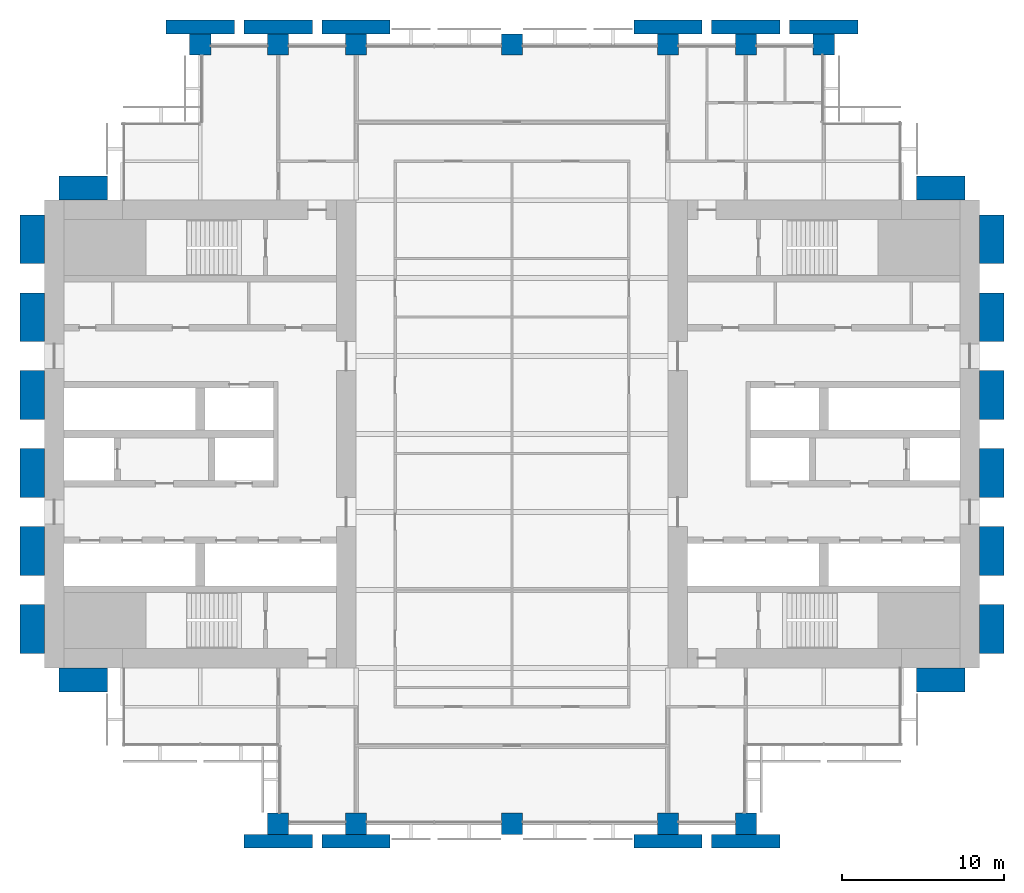
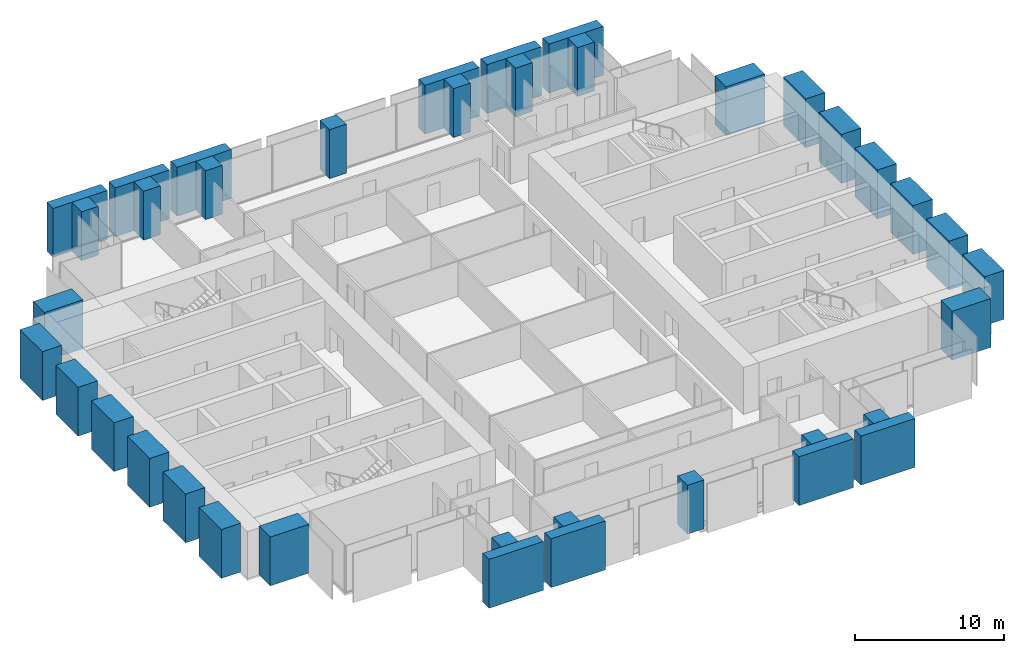
# One storey, part 1 of 14: 38 columns.
"""IFC4 building model written with IfcOpenShell, lengths in metres."""

from ifc_helpers import new_model, si_unit, direction, frame, origin, origin_2d, place, context, subcontext, project, spatial, rectangle, extrude, material, material_profile, profile_set, type_object, element, save


model = new_model("IFC4")

# Units and contexts
model_context = context("Model", 3, precision=1e-05, world=origin(), true_north=direction((0.0, 1.0)))
body_context = subcontext(model_context, "Body", "Model", "MODEL_VIEW")
ifc_project = project(units=[si_unit("LENGTHUNIT", "METRE"), si_unit("AREAUNIT", "SQUARE_METRE"), si_unit("VOLUMEUNIT", "CUBIC_METRE"), si_unit("PLANEANGLEUNIT", "RADIAN"), si_unit("MASSUNIT", "GRAM", prefix="KILO")], contexts=[model_context])

# Site, building, storey
site_placement = place(None, origin())
site = spatial("IfcSite", under=ifc_project, at=site_placement, CompositionType="ELEMENT")
building_placement = place(site_placement, origin())
building = spatial("IfcBuilding", under=site, at=building_placement, Name="Baori Bourse Tower", CompositionType="ELEMENT")
storey_placement = place(building_placement, frame((0.0, 0.0, 79.0)))
storey = spatial("IfcBuildingStorey", under=building, at=storey_placement, Name="L17", CompositionType="ELEMENT", Elevation=79.0)

# Columns
ifc_material_1 = material(Name="Concrete f'c 60 MPa", Category="concrete")
ifc_material_profile_1 = material_profile(ifc_material_1, rectangle(XDim=4.199951171875, YDim=0.85009765625, at=origin_2d()), Name="RC 4200x850")
ifc_profile_set_1 = profile_set([ifc_material_profile_1], Name="Concrete f'c 60 MPa")
column_type_1 = type_object("IfcColumnType", Name="FN3 Brick pilaster 4200x850", PredefinedType="PILASTER", material=ifc_profile_set_1)
for number, where, z_axis, x_axis, name in (
    (1, (14.39990234375, -1.074951171875, 0.0), (0.0, 0.0, 1.0), (1.0, 0.0, 0.0), "Brick pilaster L17 17"),
    (2, (19.199951171875, -1.074951171875, 0.0), (0.0, 0.0, 1.0), (1.0, 0.0, 0.0), "Brick pilaster L17 18"),
    (3, (38.39990234375, -1.074951171875, 0.0), (0.0, 0.0, 1.0), (1.0, 0.0, 0.0), "Brick pilaster L17 19"),
    (4, (43.199951171875, -1.074951171875, 0.0), (0.0, 0.0, 1.0), (1.0, 0.0, 0.0), "Brick pilaster L17 20"),
    (5, (9.60009765625, 49.074951171875, 0.0), (0.0, 0.0, 1.0), (1.0, 0.0, 0.0), "Brick pilaster L17 21"),
    (6, (14.39990234375, 49.074951171875, 0.0), (0.0, 0.0, 1.0), (1.0, 0.0, 0.0), "Brick pilaster L17 22"),
    (7, (19.199951171875, 49.074951171875, 0.0), (0.0, 0.0, 1.0), (1.0, 0.0, 0.0), "Brick pilaster L17 23"),
    (8, (38.39990234375, 49.074951171875, 0.0), (0.0, 0.0, 1.0), (1.0, 0.0, 0.0), "Brick pilaster L17 24"),
    (9, (43.199951171875, 49.074951171875, 0.0), (0.0, 0.0, 1.0), (1.0, 0.0, 0.0), "Brick pilaster L17 25"),
    (10, (48.0, 49.074951171875, 0.0), (0.0, 0.0, 1.0), (1.0, 0.0, 0.0), "Brick pilaster L17 26"),
):
    element("IfcColumn", number, at=place(storey_placement, frame(where, z_axis=z_axis, x_axis=x_axis)), inside=storey, type_object=column_type_1, Name=name, PredefinedType="PILASTER", context=body_context, shape_type="SweptSolid", body=[
        extrude(rectangle(XDim=4.199951171875, YDim=0.85009765625, at=origin_2d()), origin(), (0.0, 0.0, 1.0), 4.0),
    ])
ifc_material_2 = material(Name="Concrete f'c 60 MPa", Category="concrete")
ifc_material_profile_2 = material_profile(ifc_material_2, rectangle(XDim=3.0, YDim=1.5, at=origin_2d()), Name="RC 3000x1500")
ifc_profile_set_2 = profile_set([ifc_material_profile_2], Name="Concrete f'c 60 MPa")
column_type_2 = type_object("IfcColumnType", Name="FN4 Brick flank pilaster 3000x1500", PredefinedType="PILASTER", material=ifc_profile_set_2)
for number, where, z_axis, x_axis, name in (
    (11, (55.199951171875, 8.85009765625, 0.0), (0.0, 0.0, 1.0), (1.0, 0.0, 0.0), "Brick pilaster L17 1"),
    (12, (58.35009765625, 12.0, 0.0), (0.0, 0.0, 1.0), (0.0, 1.0, 0.0), "Brick pilaster L17 2"),
    (13, (58.35009765625, 16.800048828125, 0.0), (0.0, 0.0, 1.0), (0.0, 1.0, 0.0), "Brick pilaster L17 3"),
    (14, (58.35009765625, 21.60009765625, 0.0), (0.0, 0.0, 1.0), (0.0, 1.0, 0.0), "Brick pilaster L17 4"),
    (15, (58.35009765625, 26.39990234375, 0.0), (0.0, 0.0, 1.0), (0.0, 1.0, 0.0), "Brick pilaster L17 5"),
    (16, (58.35009765625, 31.199951171875, 0.0), (0.0, 0.0, 1.0), (0.0, 1.0, 0.0), "Brick pilaster L17 6"),
    (17, (58.35009765625, 36.0, 0.0), (0.0, 0.0, 1.0), (0.0, 1.0, 0.0), "Brick pilaster L17 7"),
    (18, (55.199951171875, 39.14990234375, 0.0), (0.0, 0.0, 1.0), (1.0, 0.0, 0.0), "Brick pilaster L17 8"),
    (19, (2.39990234375, 39.14990234375, 0.0), (0.0, 0.0, 1.0), (1.0, 0.0, 0.0), "Brick pilaster L17 9"),
    (20, (-0.75, 12.0, 0.0), (0.0, 0.0, 1.0), (0.0, 1.0, 0.0), "Brick pilaster L17 10"),
    (21, (-0.75, 16.800048828125, 0.0), (0.0, 0.0, 1.0), (0.0, 1.0, 0.0), "Brick pilaster L17 11"),
    (22, (-0.75, 21.60009765625, 0.0), (0.0, 0.0, 1.0), (0.0, 1.0, 0.0), "Brick pilaster L17 12"),
    (23, (-0.75, 26.39990234375, 0.0), (0.0, 0.0, 1.0), (0.0, 1.0, 0.0), "Brick pilaster L17 13"),
    (24, (-0.75, 31.199951171875, 0.0), (0.0, 0.0, 1.0), (0.0, 1.0, 0.0), "Brick pilaster L17 14"),
    (25, (-0.75, 36.0, 0.0), (0.0, 0.0, 1.0), (0.0, 1.0, 0.0), "Brick pilaster L17 15"),
    (26, (2.39990234375, 8.85009765625, 0.0), (0.0, 0.0, 1.0), (1.0, 0.0, 0.0), "Brick pilaster L17 16"),
):
    element("IfcColumn", number, at=place(storey_placement, frame(where, z_axis=z_axis, x_axis=x_axis)), inside=storey, type_object=column_type_2, Name=name, PredefinedType="PILASTER", context=body_context, shape_type="SweptSolid", body=[
        extrude(rectangle(XDim=3.0, YDim=1.5, at=origin_2d()), origin(), (0.0, 0.0, 1.0), 4.0),
    ])
ifc_material_3 = material(Name="Concrete f'c 70 MPa", Category="concrete")
ifc_material_profile_3 = material_profile(ifc_material_3, rectangle(XDim=1.300048828125, YDim=1.300048828125, at=origin_2d()), Name="RC 1300x1300")
ifc_profile_set_3 = profile_set([ifc_material_profile_3], Name="Concrete f'c 70 MPa")
column_type_3 = type_object("IfcColumnType", Name="Perimeter column RC 1300x1300", PredefinedType="COLUMN", material=ifc_profile_set_3)
for number, where, z_axis, x_axis, name in (
    (27, (14.39990234375, 0.0, 0.0), (0.0, 0.0, 1.0), (1.0, 0.0, 0.0), "Perimeter column L17"),
    (28, (19.199951171875, 0.0, 0.0), (0.0, 0.0, 1.0), (1.0, 0.0, 0.0), "Perimeter column L17"),
    (29, (28.800048828125, 0.0, 0.0), (0.0, 0.0, 1.0), (1.0, 0.0, 0.0), "Perimeter column L17"),
    (30, (38.39990234375, 0.0, 0.0), (0.0, 0.0, 1.0), (1.0, 0.0, 0.0), "Perimeter column L17"),
    (31, (43.199951171875, 0.0, 0.0), (0.0, 0.0, 1.0), (1.0, 0.0, 0.0), "Perimeter column L17"),
    (32, (9.60009765625, 48.0, 0.0), (0.0, 0.0, 1.0), (1.0, 0.0, 0.0), "Perimeter column L17"),
    (33, (14.39990234375, 48.0, 0.0), (0.0, 0.0, 1.0), (1.0, 0.0, 0.0), "Perimeter column L17"),
    (34, (19.199951171875, 48.0, 0.0), (0.0, 0.0, 1.0), (1.0, 0.0, 0.0), "Perimeter column L17"),
    (35, (28.800048828125, 48.0, 0.0), (0.0, 0.0, 1.0), (1.0, 0.0, 0.0), "Perimeter column L17"),
    (36, (38.39990234375, 48.0, 0.0), (0.0, 0.0, 1.0), (1.0, 0.0, 0.0), "Perimeter column L17"),
    (37, (43.199951171875, 48.0, 0.0), (0.0, 0.0, 1.0), (1.0, 0.0, 0.0), "Perimeter column L17"),
    (38, (48.0, 48.0, 0.0), (0.0, 0.0, 1.0), (1.0, 0.0, 0.0), "Perimeter column L17"),
):
    element("IfcColumn", number, at=place(storey_placement, frame(where, z_axis=z_axis, x_axis=x_axis)), inside=storey, type_object=column_type_3, Name=name, PredefinedType="COLUMN", context=body_context, shape_type="SweptSolid", body=[
        extrude(rectangle(XDim=1.300048828125, YDim=1.300048828125, at=origin_2d()), origin(), (0.0, 0.0, 1.0), 4.0),
    ])

save(model, "model.ifc")
